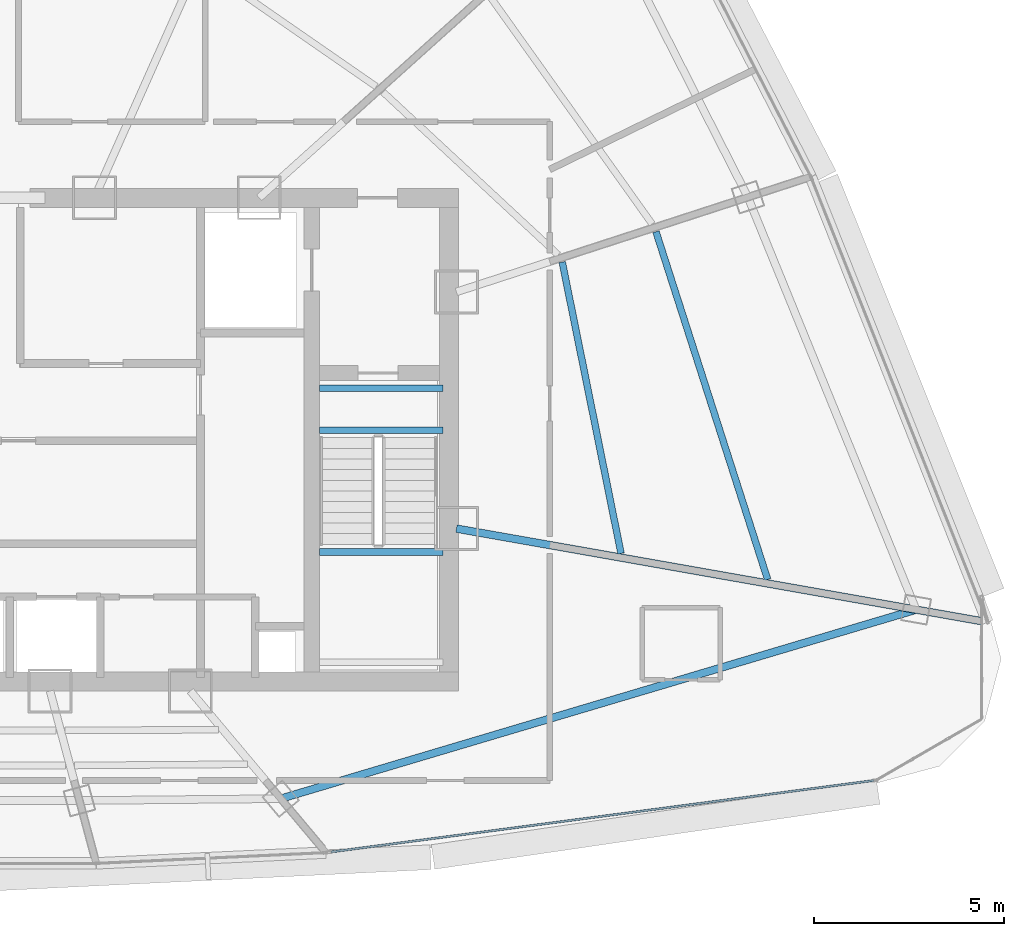
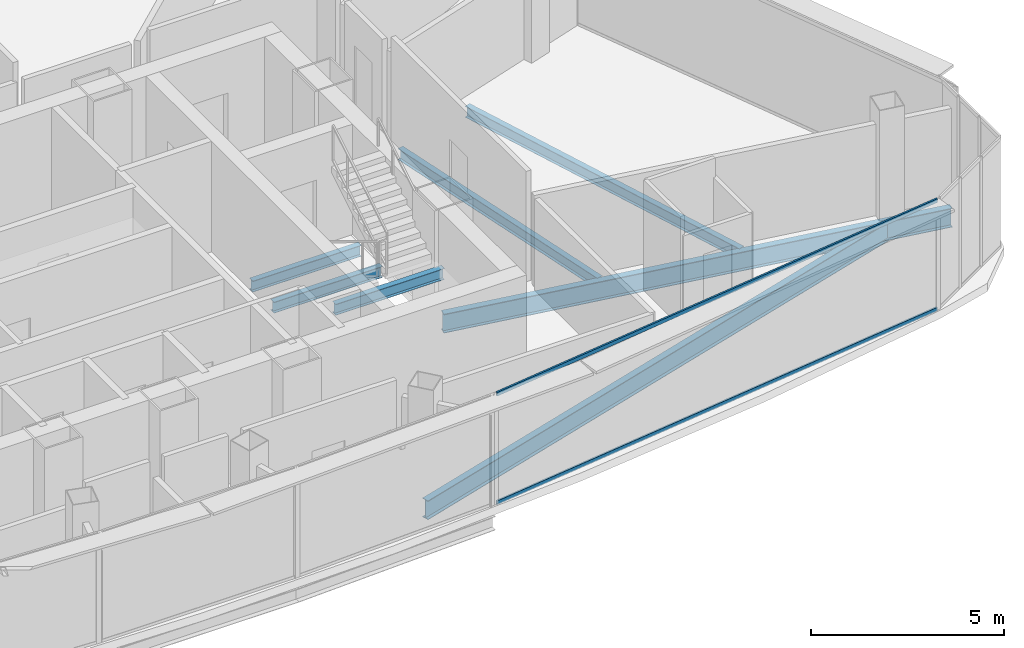
# One storey, part 11 of 29: 7 beams, 2 members, 1 element without a shape of its own.
"""IFC4 building model written with IfcOpenShell, lengths in metres."""

from ifc_helpers import new_model, si_unit, direction, frame, origin, origin_2d, place, context, subcontext, project, spatial, hollow_rectangle, i_section, extrude, source, transform, mapped, material, layer, layer_set, material_profile, profile_set, type_object, element, aggregate, save


model = new_model("IFC4")

# Units and contexts
model_context = context("Model", 3, precision=1e-05, world=origin(), true_north=direction((0.0, 1.0)))
body_context = subcontext(model_context, "Body", "Model", "MODEL_VIEW")
ifc_project = project(units=[si_unit("LENGTHUNIT", "METRE"), si_unit("AREAUNIT", "SQUARE_METRE"), si_unit("VOLUMEUNIT", "CUBIC_METRE"), si_unit("PLANEANGLEUNIT", "RADIAN"), si_unit("MASSUNIT", "GRAM", prefix="KILO"), si_unit("THERMODYNAMICTEMPERATUREUNIT", "KELVIN"), si_unit("POWERUNIT", "WATT")], contexts=[model_context])

# Site, building, storey
site_placement = place(None, origin())
site = spatial("IfcSite", under=ifc_project, at=site_placement, CompositionType="ELEMENT")
building_placement = place(site_placement, origin())
building = spatial("IfcBuilding", under=site, at=building_placement, Name="Yunzhuo Pagoda Commons", CompositionType="ELEMENT")
storey_placement = place(building_placement, frame((0.0, 0.0, 359.260009765625)))
storey = spatial("IfcBuildingStorey", under=building, at=storey_placement, Name="L90", CompositionType="ELEMENT", Elevation=359.260009765625)

# Beams
ifc_material_1 = material(Name="Structural steel Q355B", Category="steel")
ifc_material_profile_1 = material_profile(ifc_material_1, i_section(OverallWidth=0.175048828125, OverallDepth=0.35009765625, WebThickness=0.007080078125, FlangeThickness=0.010986328125, at=origin_2d()), Name="Structural steel Q355B")
ifc_profile_set_1 = profile_set([ifc_material_profile_1], Name="Structural steel Q355B")
beam_type_1 = type_object("IfcBeamType", Name="B-JS2 Joist HN 350x175x7x11", PredefinedType="JOIST", material=ifc_profile_set_1)
shared_shape_1 = source(origin(), body_context, "Body", "SweptSolid", [
    extrude(i_section(OverallWidth=0.175048828125, OverallDepth=0.35009765625, WebThickness=0.007080078125, FlangeThickness=0.010986328125, at=origin_2d()), origin(), (0.0, 0.0, 1.0), 3.25),
])
for number, where, z_axis, x_axis, name in (
    (1, (56.800048828125, 30.89990234375, 1.5), (1.0, 0.0, 0.0), (0.0, 1.0, 0.0), "L90 ST2 landing support beam 96B"),
    (2, (56.800048828125, 34.10009765625, -0.375), (1.0, 0.0, 0.0), (0.0, 1.0, 0.0), "L90 ST2 landing support beam 194A"),
    (3, (56.800048828125, 35.199951171875, -0.375), (1.0, 0.0, 0.0), (0.0, 1.0, 0.0), "L90 ST2 landing support beam 194B"),
):
    element("IfcBeam", number, at=place(storey_placement, frame(where, z_axis=z_axis, x_axis=x_axis)), inside=storey, type_object=beam_type_1, Name=name, PredefinedType="JOIST", context=body_context, shape_type="MappedRepresentation", body=[
        mapped(shared_shape_1, transform((0.0, 0.0, 0.0), scale=1.0)),
    ])
ifc_material_profile_2 = material_profile(ifc_material_1, i_section(OverallWidth=0.199951171875, OverallDepth=0.60009765625, WebThickness=0.010986328125, FlangeThickness=0.01708984375, at=origin_2d()), Name="Structural steel Q355B")
ifc_profile_set_2 = profile_set([ifc_material_profile_2], Name="Structural steel Q355B")
beam_type_2 = type_object("IfcBeamType", Name="B-RG3 Beam HN 600x200x11x17", PredefinedType="BEAM", material=ifc_profile_set_2)
shared_shape_2 = source(origin(), body_context, "Body", "SweptSolid", [
    extrude(i_section(OverallWidth=0.199951171875, OverallDepth=0.60009765625, WebThickness=0.010986328125, FlangeThickness=0.01708984375, at=origin_2d()), origin(), (0.0, 0.0, 1.0), 17.407470703125),
])
beam_1_placement = place(storey_placement, frame((55.785400390625, 24.421630859375, -0.56005859375), z_axis=(0.958484984609, 0.285143006717, 0.0), x_axis=(-0.285143006717, 0.958484984609, 0.0)))
element("IfcBeam", 4, at=beam_1_placement, inside=storey, type_object=beam_type_2, Name="L90 column-ring beam 4", PredefinedType="BEAM", context=body_context, shape_type="MappedRepresentation", body=[
    mapped(shared_shape_2, transform((0.0, 0.0, 0.0), scale=1.0)),
])
shared_shape_3 = source(origin(), body_context, "Body", "SweptSolid", [
    extrude(i_section(OverallWidth=0.175048828125, OverallDepth=0.35009765625, WebThickness=0.007080078125, FlangeThickness=0.010986328125, at=origin_2d()), origin(), (0.0, 0.0, 1.0), 7.8056640625),
])
beam_2_placement = place(storey_placement, frame((64.722412109375, 30.860107421875, -0.43505859375), z_axis=(-0.197830082137, 0.980236327934, 0.0), x_axis=(-0.980236327934, -0.197830082137, 0.0)))
element("IfcBeam", 5, at=beam_2_placement, inside=storey, type_object=beam_type_1, Name="L90 composite ring joist 1.5", PredefinedType="JOIST", context=body_context, shape_type="MappedRepresentation", body=[
    mapped(shared_shape_3, transform((0.0, 0.0, 0.0), scale=1.0)),
])
shared_shape_4 = source(origin(), body_context, "Body", "SweptSolid", [
    extrude(i_section(OverallWidth=0.175048828125, OverallDepth=0.35009765625, WebThickness=0.007080078125, FlangeThickness=0.010986328125, at=origin_2d()), origin(), (0.0, 0.0, 1.0), 9.593994140625),
])
beam_3_placement = place(storey_placement, frame((68.572509765625, 30.17578125, -0.43505859375), z_axis=(-0.305719218499, 0.952121714614, 0.0), x_axis=(-0.952121714614, -0.305719218499, 0.0)))
element("IfcBeam", 6, at=beam_3_placement, inside=storey, type_object=beam_type_1, Name="L90 composite ring joist 2.5", PredefinedType="JOIST", context=body_context, shape_type="MappedRepresentation", body=[
    mapped(shared_shape_4, transform((0.0, 0.0, 0.0), scale=1.0)),
])
shared_shape_5 = source(origin(), body_context, "Body", "SweptSolid", [
    extrude(i_section(OverallWidth=0.199951171875, OverallDepth=0.60009765625, WebThickness=0.010986328125, FlangeThickness=0.01708984375, at=origin_2d()), origin(), (0.0, 0.0, 1.0), 14.009033203125),
])
beam_4_placement = place(storey_placement, frame((74.196044921875, 29.0810546875, -0.56005859375), z_axis=(-0.984810915976, 0.17363023865, 0.0), x_axis=(-0.17363023865, -0.984810915976, 0.0)))
element("IfcBeam", 7, at=beam_4_placement, inside=storey, type_object=beam_type_2, Name="L90 radial floor girder F2C1", PredefinedType="BEAM", context=body_context, shape_type="MappedRepresentation", body=[
    mapped(shared_shape_5, transform((0.0, 0.0, 0.0), scale=1.0)),
])

# Curtain wall, members
ifc_material_2 = material(Name="Anodized aluminium 6063-T6", Category="aluminium")
ifc_layer = layer(ifc_material_2, 0.139892578125)
ifc_layer_set = layer_set([ifc_layer], Name="Anodized aluminium 6063-T6")
curtain_wall_type = type_object("IfcCurtainWallType", Name="CW-HI High-Zone Ribbon Curtain Wall", PredefinedType="NOTDEFINED", material=ifc_layer_set)
curtain_wall_placement = place(storey_placement, origin())
curtain_wall = element("IfcCurtainWall", 8, at=curtain_wall_placement, inside=storey, type_object=curtain_wall_type, Name="L90 curtain wall CW-L90-F1B5", PredefinedType="NOTDEFINED")
ifc_material_profile_3 = material_profile(ifc_material_2, hollow_rectangle(XDim=0.054931640625, YDim=0.1201171875, WallThickness=0.00341796875, at=origin_2d()), Name="Anodized aluminium 6063-T6")
ifc_profile_set_3 = profile_set([ifc_material_profile_3], Name="Anodized aluminium 6063-T6")
member_type = type_object("IfcMemberType", Name="CW-HI-T Transom RHS 120x55x3.5", PredefinedType="USERDEFINED", material=ifc_profile_set_3)
shared_shape_6 = source(origin(), body_context, "Body", "SweptSolid", [
    extrude(hollow_rectangle(XDim=0.054931640625, YDim=0.1201171875, WallThickness=0.00341796875, at=origin_2d()), origin(), (0.0, 0.0, 1.0), 14.375244140625),
])
member_1_placement = place(storey_placement, frame((57.107666015625, 23.02294921875, 0.027587890625), z_axis=(0.991445911577, 0.130518214887, 0.0), x_axis=(-0.130518214887, 0.991445911577, 0.0)))
member_1 = element("IfcMember", 9, at=member_1_placement, type_object=member_type, Name="CW transom 1.1", ObjectType="TRANSOM", PredefinedType="USERDEFINED", context=body_context, shape_type="MappedRepresentation", body=[
    mapped(shared_shape_6, transform((0.0, 0.0, 0.0), scale=1.0)),
])
member_2_placement = place(storey_placement, frame((57.107666015625, 23.02294921875, 3.46240234375), z_axis=(0.991445911577, 0.130518214887, 0.0), x_axis=(-0.130518214887, 0.991445911577, 0.0)))
member_2 = element("IfcMember", 10, at=member_2_placement, type_object=member_type, Name="CW transom 1.2", ObjectType="TRANSOM", PredefinedType="USERDEFINED", context=body_context, shape_type="MappedRepresentation", body=[
    mapped(shared_shape_6, transform((0.0, 0.0, 0.0), scale=1.0)),
])
aggregate(curtain_wall, [member_1, member_2])

save(model, "model.ifc")
